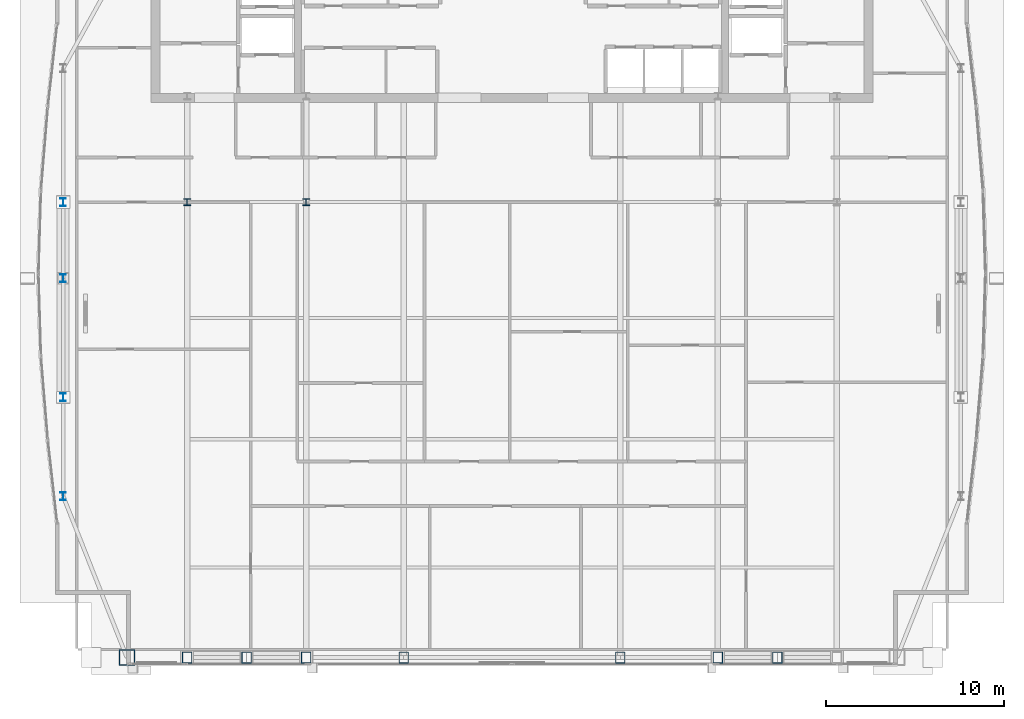
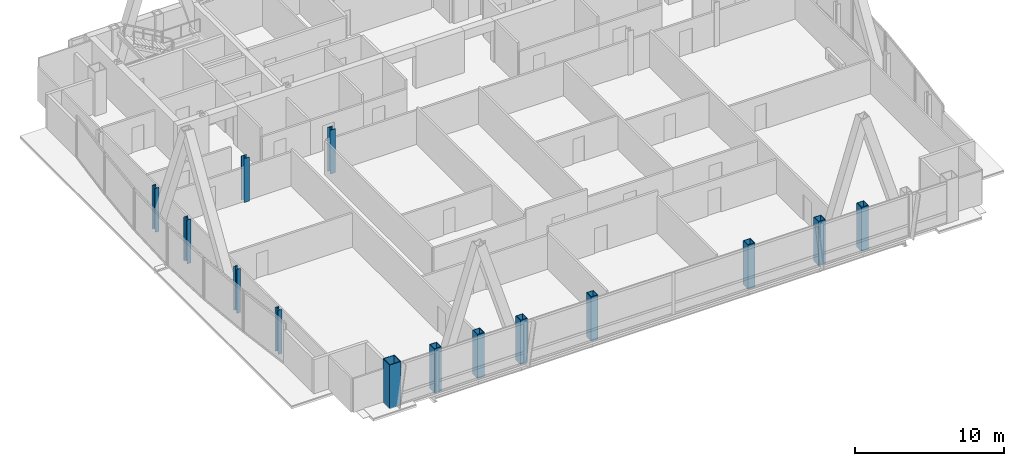
# One storey, part 1 of 28: 14 columns.
"""IFC4 building model written with IfcOpenShell, lengths in metres."""

from ifc_helpers import new_model, si_unit, direction, frame, origin, origin_2d, place, context, subcontext, project, spatial, hollow_rectangle, i_section, extrude, material, material_profile, profile_set, type_object, element, save


model = new_model("IFC4")

# Units and contexts
model_context = context("Model", 3, precision=1e-05, world=origin(), true_north=direction((0.0, 1.0)))
body_context = subcontext(model_context, "Body", "Model", "MODEL_VIEW")
ifc_project = project(units=[si_unit("LENGTHUNIT", "METRE"), si_unit("AREAUNIT", "SQUARE_METRE"), si_unit("VOLUMEUNIT", "CUBIC_METRE"), si_unit("PLANEANGLEUNIT", "RADIAN"), si_unit("MASSUNIT", "GRAM", prefix="KILO")], contexts=[model_context])

# Site, building, storey
site_placement = place(None, origin())
site = spatial("IfcSite", under=ifc_project, at=site_placement, CompositionType="ELEMENT")
building_placement = place(site_placement, origin())
building = spatial("IfcBuilding", under=site, at=building_placement, Name="Khoronbel Lancet Exchange", CompositionType="ELEMENT")
storey_placement = place(building_placement, frame((0.0, 0.0, 291.39990234375)))
storey = spatial("IfcBuildingStorey", under=building, at=storey_placement, Name="L75", CompositionType="ELEMENT", Elevation=291.39990234375)

# Columns
ifc_material_1 = material(Name="Steel S460", Category="steel")
ifc_material_profile_1 = material_profile(ifc_material_1, hollow_rectangle(XDim=0.550048828125, YDim=0.64990234375, WallThickness=0.0400390625, at=origin_2d()), Name="BOX 650x550x40")
ifc_profile_set_1 = profile_set([ifc_material_profile_1], Name="Steel S460")
column_type_1 = type_object("IfcColumnType", Name="COL-EC4", PredefinedType="COLUMN", material=ifc_profile_set_1)
for number, where, z_axis, x_axis, name in (
    (1, (18.22509765625, 10.14990234375, 0.0), (0.0, 0.0, 1.0), (1.0, 0.0, 0.0), "Structural column SC-W1 L75"),
    (2, (21.5625, 10.14990234375, 0.0), (0.0, 0.0, 1.0), (1.0, 0.0, 0.0), "Structural column SC-WM L75"),
    (3, (24.89990234375, 10.14990234375, 0.0), (0.0, 0.0, 1.0), (1.0, 0.0, 0.0), "Structural column SC-W2 L75"),
    (4, (30.375, 10.14990234375, 0.0), (0.0, 0.0, 1.0), (1.0, 0.0, 0.0), "Structural column SC-C1 L75"),
    (5, (42.52490234375, 10.14990234375, 0.0), (0.0, 0.0, 1.0), (1.0, 0.0, 0.0), "Structural column SC-C2 L75"),
    (6, (48.0, 10.14990234375, 0.0), (0.0, 0.0, 1.0), (1.0, 0.0, 0.0), "Structural column SC-E1 L75"),
    (7, (51.33740234375, 10.14990234375, 0.0), (0.0, 0.0, 1.0), (1.0, 0.0, 0.0), "Structural column SC-EM L75"),
):
    element("IfcColumn", number, at=place(storey_placement, frame(where, z_axis=z_axis, x_axis=x_axis)), inside=storey, type_object=column_type_1, Name=name, PredefinedType="COLUMN", context=body_context, shape_type="SweptSolid", body=[
        extrude(hollow_rectangle(XDim=0.550048828125, YDim=0.64990234375, WallThickness=0.0400390625, at=origin_2d()), origin(), (0.0, 0.0, 1.0), 3.60009765625),
    ])
ifc_material_2 = material(Name="Steel S355", Category="steel")
ifc_material_profile_2 = material_profile(ifc_material_2, i_section(OverallWidth=0.39892578125, OverallDepth=0.39306640625, WebThickness=0.022705078125, FlangeThickness=0.03662109375, at=origin_2d()), Name="HD 400x287")
ifc_profile_set_2 = profile_set([ifc_material_profile_2], Name="Steel S355")
column_type_2 = type_object("IfcColumnType", Name="COL-IC4", PredefinedType="COLUMN", material=ifc_profile_set_2)
for number, where, z_axis, x_axis, name in (
    (8, (18.22509765625, 35.699951171875, 0.0), (0.0, 0.0, 1.0), (1.0, 0.0, 0.0), "Spine gravity column TC1 L75"),
    (9, (24.89990234375, 35.699951171875, 0.0), (0.0, 0.0, 1.0), (1.0, 0.0, 0.0), "Spine gravity column TC2 L75"),
):
    element("IfcColumn", number, at=place(storey_placement, frame(where, z_axis=z_axis, x_axis=x_axis)), inside=storey, type_object=column_type_2, Name=name, PredefinedType="COLUMN", context=body_context, shape_type="SweptSolid", body=[
        extrude(i_section(OverallWidth=0.39892578125, OverallDepth=0.39306640625, WebThickness=0.022705078125, FlangeThickness=0.03662109375, at=origin_2d()), origin(), (0.0, 0.0, 1.0), 3.60009765625),
    ])
ifc_material_profile_3 = material_profile(ifc_material_2, i_section(OverallWidth=0.300048828125, OverallDepth=0.449951171875, WebThickness=0.013916015625, FlangeThickness=0.02587890625, at=origin_2d()), Name="HEB 450")
ifc_profile_set_3 = profile_set([ifc_material_profile_3], Name="Steel S355")
column_type_3 = type_object("IfcColumnType", Name="COL-LC2", PredefinedType="COLUMN", material=ifc_profile_set_3)
for number, where, z_axis, x_axis, name in (
    (10, (11.27001953125, 19.199951171875, 0.0), (0.0, 0.0, 1.0), (1.0, 0.0, 0.0), "Structural column WC-1 L75"),
    (11, (11.27001953125, 24.75, 0.0), (0.0, 0.0, 1.0), (1.0, 0.0, 0.0), "Structural column WC-2 L75"),
    (12, (11.27001953125, 31.425048828125, 0.0), (0.0, 0.0, 1.0), (1.0, 0.0, 0.0), "Structural column WC-M L75"),
    (13, (11.27001953125, 35.699951171875, 0.0), (0.0, 0.0, 1.0), (1.0, 0.0, 0.0), "Structural column WC-3 L75"),
):
    element("IfcColumn", number, at=place(storey_placement, frame(where, z_axis=z_axis, x_axis=x_axis)), inside=storey, type_object=column_type_3, Name=name, PredefinedType="COLUMN", context=body_context, shape_type="SweptSolid", body=[
        extrude(i_section(OverallWidth=0.300048828125, OverallDepth=0.449951171875, WebThickness=0.013916015625, FlangeThickness=0.02587890625, at=origin_2d()), origin(), (0.0, 0.0, 1.0), 3.60009765625),
    ])
ifc_material_profile_4 = material_profile(ifc_material_1, hollow_rectangle(XDim=0.89990234375, YDim=0.89990234375, WallThickness=0.050048828125, at=origin_2d()), Name="BOX 900x900x50")
ifc_profile_set_4 = profile_set([ifc_material_profile_4], Name="Steel S460")
column_type_4 = type_object("IfcColumnType", Name="COL-MC7", PredefinedType="COLUMN", material=ifc_profile_set_4)
column_placement = place(storey_placement, frame((14.85009765625, 10.14990234375, 0.0), z_axis=(0.0, 0.0, 1.0), x_axis=(1.0, 0.0, 0.0)))
element("IfcColumn", 14, at=column_placement, inside=storey, type_object=column_type_4, Name="Structural column MC-SW L75", PredefinedType="COLUMN", context=body_context, shape_type="SweptSolid", body=[
    extrude(hollow_rectangle(XDim=0.89990234375, YDim=0.89990234375, WallThickness=0.050048828125, at=origin_2d()), origin(), (0.0, 0.0, 1.0), 3.60009765625),
])

save(model, "model.ifc")
